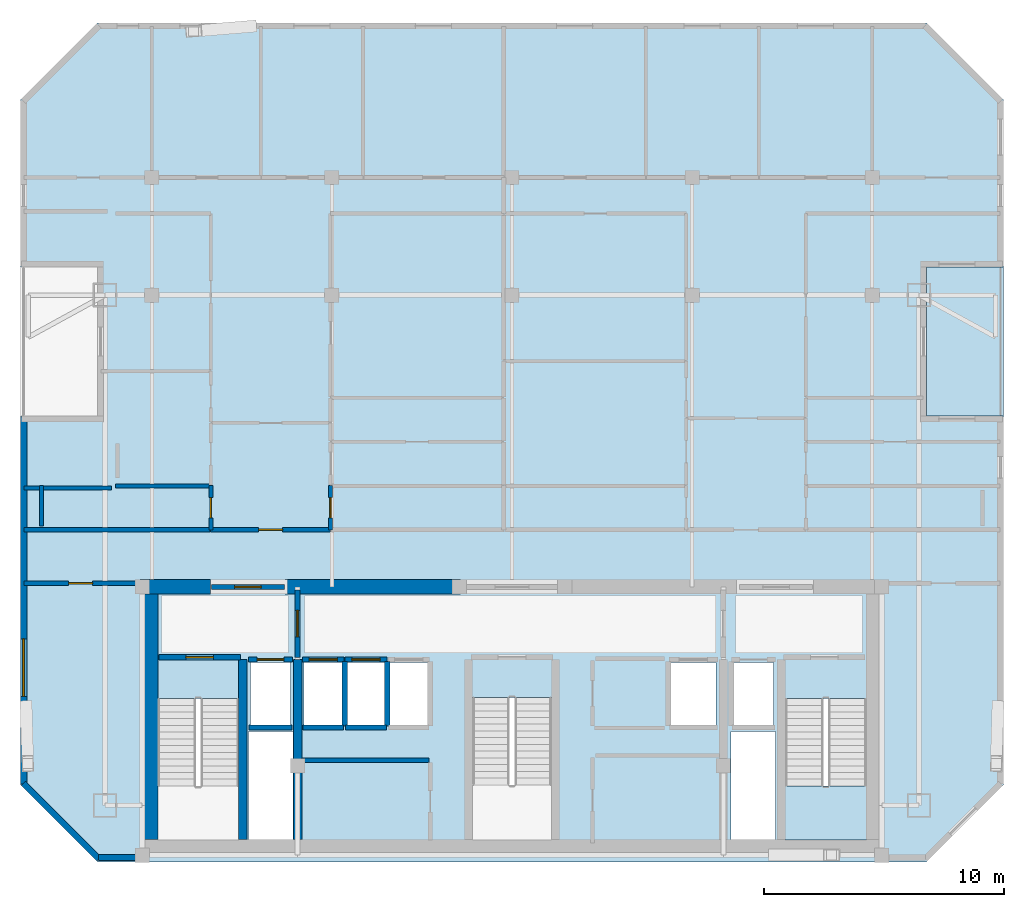
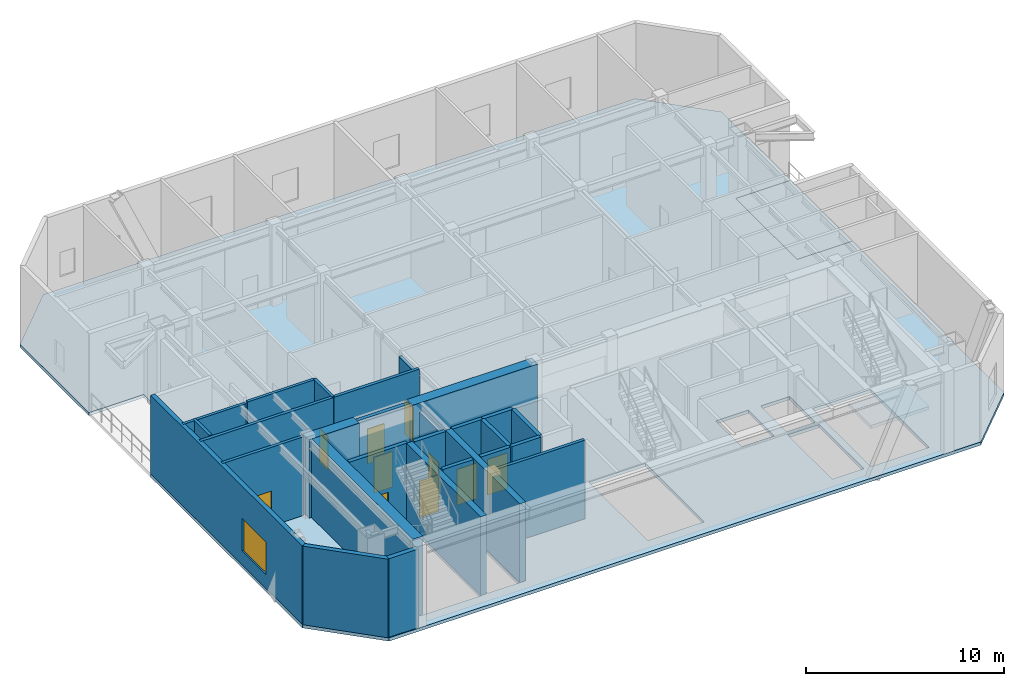
# One storey, part 2 of 7: 28 walls, 10 doors, 3 slabs, 1 window, 11 openings, 1 element without a shape of its own.
"""IFC4 building model written with IfcOpenShell, lengths in metres."""

from ifc_helpers import new_model, si_unit, direction, frame, frame_2d, origin, place, context, subcontext, project, spatial, polyline, rectangle, outline, extrude, material, layer, layer_set, type_object, element, fill, aggregate, save


model = new_model("IFC4")

# Units and contexts
model_context = context("Model", 3, precision=1e-05, world=origin(), true_north=direction((0.0, 1.0)))
body_context = subcontext(model_context, "Body", "Model", "MODEL_VIEW")
ifc_project = project(units=[si_unit("LENGTHUNIT", "METRE"), si_unit("AREAUNIT", "SQUARE_METRE"), si_unit("VOLUMEUNIT", "CUBIC_METRE"), si_unit("PLANEANGLEUNIT", "RADIAN"), si_unit("MASSUNIT", "GRAM", prefix="KILO")], contexts=[model_context])

# Site, building, storey
site_placement = place(None, origin())
site = spatial("IfcSite", under=ifc_project, at=site_placement, CompositionType="ELEMENT")
building_placement = place(site_placement, origin())
building = spatial("IfcBuilding", under=site, at=building_placement, Name="Ventersveld Concourse Tower", CompositionType="ELEMENT")
storey_placement = place(building_placement, frame((0.0, 0.0, 276.0)))
storey = spatial("IfcBuildingStorey", under=building, at=storey_placement, Name="L68", CompositionType="ELEMENT", Elevation=276.0)

# Slabs
ifc_material_1 = material(Name="Concrete C50/60", Category="concrete")
ifc_layer_1 = layer(ifc_material_1, 0.199951171875)
ifc_layer_set_1 = layer_set([ifc_layer_1], Name="Concrete C50/60")
slab_type_1 = type_object("IfcSlabType", Name="SL-FLR-200", PredefinedType="FLOOR", material=ifc_layer_set_1)
slab_1_placement = place(storey_placement, frame((0.0, 0.0, -0.199951171875)))
element("IfcSlab", 1, at=slab_1_placement, inside=storey, type_object=slab_type_1, Name="L68 Composite Floor Slab", PredefinedType="FLOOR", context=body_context, shape_type="SweptSolid", body=[
    extrude(outline(polyline([(11.48193359375, 0.0), (46.01806640625, 0.0), (49.218017578125, 3.199951171875), (49.218017578125, 18.569091796875), (46.01806640625, 18.569091796875), (46.01806640625, 24.76904296875), (49.218017578125, 24.76904296875), (49.218017578125, 31.738037109375), (46.01806640625, 34.93798828125), (11.48193359375, 34.93798828125), (8.281982421875, 31.738037109375), (8.281982421875, 24.76904296875), (11.48193359375, 24.76904296875), (11.48193359375, 18.569091796875), (8.281982421875, 18.569091796875), (8.281982421875, 3.199951171875), (11.48193359375, 0.0)]), holes=[polyline([(13.97998046875, 6.794921875), (13.97998046875, 0.89990234375), (17.3798828125, 0.89990234375), (17.3798828125, 6.794921875), (13.97998046875, 6.794921875)]), polyline([(40.1201171875, 6.794921875), (40.1201171875, 0.89990234375), (43.52001953125, 0.89990234375), (43.52001953125, 6.794921875), (40.1201171875, 6.794921875)]), polyline([(27.10009765625, 6.844970703125), (27.10009765625, 0.89990234375), (30.39990234375, 0.89990234375), (30.39990234375, 6.844970703125), (27.10009765625, 6.844970703125)]), polyline([(17.85009765625, 5.699951171875), (19.530029296875, 5.699951171875), (19.530029296875, 8.300048828125), (17.85009765625, 8.300048828125), (17.85009765625, 5.699951171875)]), polyline([(37.969970703125, 5.699951171875), (39.64990234375, 5.699951171875), (39.64990234375, 8.300048828125), (37.969970703125, 8.300048828125), (37.969970703125, 5.699951171875)]), polyline([(35.35009765625, 5.699951171875), (37.25, 5.699951171875), (37.25, 8.300048828125), (35.35009765625, 8.300048828125), (35.35009765625, 5.699951171875)]), polyline([(20.090087890625, 5.699951171875), (21.68994140625, 5.699951171875), (21.68994140625, 8.300048828125), (20.090087890625, 8.300048828125), (20.090087890625, 5.699951171875)]), polyline([(21.8701171875, 5.699951171875), (23.469970703125, 5.699951171875), (23.469970703125, 8.300048828125), (21.8701171875, 8.300048828125), (21.8701171875, 5.699951171875)]), polyline([(23.64990234375, 5.699951171875), (25.25, 5.699951171875), (25.25, 8.300048828125), (23.64990234375, 8.300048828125), (23.64990234375, 5.699951171875)]), polyline([(17.780029296875, 0.919921875), (19.6201171875, 0.919921875), (19.6201171875, 5.419921875), (17.780029296875, 5.419921875), (17.780029296875, 0.919921875)]), polyline([(37.8798828125, 0.919921875), (39.719970703125, 0.919921875), (39.719970703125, 5.419921875), (37.8798828125, 5.419921875), (37.8798828125, 0.919921875)])]), origin(), (0.0, 0.0, 1.0), 0.199951171875),
])
slab_2_placement = place(storey_placement, frame((0.0, 0.0, -0.199951171875)))
element("IfcSlab", 2, at=slab_2_placement, inside=storey, type_object=slab_type_1, Name="L68 Outdoor Terrace Slab NOTCH-E", PredefinedType="FLOOR", context=body_context, shape_type="SweptSolid", body=[
    extrude(outline(polyline([(46.01806640625, 18.569091796875), (49.218017578125, 18.569091796875), (49.218017578125, 24.76904296875), (46.01806640625, 24.76904296875), (46.01806640625, 18.569091796875)])), origin(), (0.0, 0.0, 1.0), 0.199951171875),
])

# Stair, slab
stair_type = type_object("IfcStairType", Name="ST-DOG-160", PredefinedType="HALF_TURN_STAIR", material=ifc_material_1)
stair_placement = place(storey_placement, origin())
stair = element("IfcStair", 3, at=stair_placement, inside=storey, type_object=stair_type, Name="L68 Protected Tower Escape Stair ST-02", PredefinedType="HALF_TURN_STAIR")
ifc_layer_2 = layer(ifc_material_1, 0.199951171875)
ifc_layer_set_2 = layer_set([ifc_layer_2], Name="Concrete C50/60")
slab_type_2 = type_object("IfcSlabType", Name="SL-LND-200", PredefinedType="LANDING", material=ifc_layer_set_2)
slab_3_placement = place(storey_placement, frame((0.0, 0.0, 2.324951171875)))
slab_3 = element("IfcSlab", 4, at=slab_3_placement, type_object=slab_type_2, Name="ST-02 landing 1", PredefinedType="LANDING", context=body_context, shape_type="SweptSolid", body=[
    extrude(outline(polyline([(40.1201171875, 3.159912109375), (40.1201171875, 0.89990234375), (43.52001953125, 0.89990234375), (43.52001953125, 3.159912109375), (40.1201171875, 3.159912109375)])), origin(), (0.0, 0.0, 1.0), 0.199951171875),
])
aggregate(stair, [slab_3])

# Walls
ifc_layer_3 = layer(ifc_material_1, 0.35009765625)
ifc_layer_set_3 = layer_set([ifc_layer_3], Name="Concrete C50/60")
wall_type_1 = type_object("IfcWallType", Name="WL-CORE-350U", PredefinedType="SHEAR", material=ifc_layer_set_3)
for number, where, z_axis, x_axis, name in (
    (5, (17.5400390625, 0.919921875, 0.0), (0.0, 0.0, 1.0), (0.0, 1.0, 0.0), "L68 Core Internal Shear Web W-ST1-E"),
    (6, (19.820068359375, 0.919921875, 0.0), (0.0, 0.0, 1.0), (0.0, 1.0, 0.0), "L68 Core Internal Shear Web W-FF1-E"),
):
    element("IfcWall", number, at=place(storey_placement, frame(where, z_axis=z_axis, x_axis=x_axis)), inside=storey, type_object=wall_type_1, Name=name, PredefinedType="SHEAR", context=body_context, shape_type="SweptSolid", body=[
        extrude(rectangle(XDim=7.5, YDim=0.35009765625, at=frame_2d((3.75, 0.0))), origin(), (0.0, 0.0, 1.0), 4.85009765625),
    ])
ifc_layer_4 = layer(ifc_material_1, 0.60009765625)
ifc_layer_set_4 = layer_set([ifc_layer_4], Name="Concrete C50/60")
wall_type_2 = type_object("IfcWallType", Name="WL-CORE-600", PredefinedType="SHEAR", material=ifc_layer_set_4)
wall_1_placement = place(storey_placement, frame((13.699951171875, 0.919921875, 0.0), z_axis=(0.0, 0.0, 1.0), x_axis=(0.0, 1.0, 0.0)))
element("IfcWall", 7, at=wall_1_placement, inside=storey, type_object=wall_type_2, Name="L68 Rear Core West Shear Wall", PredefinedType="SHEAR", context=body_context, shape_type="SweptSolid", body=[
    extrude(rectangle(XDim=10.530029296875, YDim=0.60009765625, at=frame_2d((5.26513671875, 0.0))), origin(), (0.0, 0.0, 1.0), 4.85009765625),
])
wall_2_placement = place(storey_placement, frame((13.25, 11.449951171875, 0.0), z_axis=(0.0, 0.0, 1.0), x_axis=(1.0, 0.0, 0.0)))
element("IfcWall", 8, at=wall_2_placement, inside=storey, type_object=wall_type_2, Name="L68 Rear Core North Shear Wall NW", PredefinedType="SHEAR", context=body_context, shape_type="SweptSolid", body=[
    extrude(rectangle(XDim=2.949951171875, YDim=0.60009765625, at=frame_2d((1.47509765625, 0.0))), origin(), (0.0, 0.0, 1.0), 4.85009765625),
])
wall_3_placement = place(storey_placement, frame((19.300048828125, 11.449951171875, 0.0), z_axis=(0.0, 0.0, 1.0), x_axis=(1.0, 0.0, 0.0)))
element("IfcWall", 9, at=wall_3_placement, inside=storey, type_object=wall_type_2, Name="L68 Rear Core North Shear Wall NML", PredefinedType="SHEAR", context=body_context, shape_type="SweptSolid", body=[
    extrude(rectangle(XDim=7.300048828125, YDim=0.60009765625, at=frame_2d((3.64990234375, 0.0))), origin(), (0.0, 0.0, 1.0), 4.85009765625),
])
ifc_material_2 = material(Name="Fire-rated autoclaved aerated masonry blockwork", Category="masonry")
ifc_layer_5 = layer(ifc_material_2, 0.179931640625)
ifc_layer_set_5 = layer_set([ifc_layer_5], Name="Fire-rated autoclaved aerated masonry blockwork")
wall_type_3 = type_object("IfcWallType", Name="WL-CORR-180", PredefinedType="PARTITIONING", material=ifc_layer_set_5)
wall_4_placement = place(storey_placement, frame((19.97998046875, 4.22998046875, 0.0), z_axis=(0.0, 0.0, 1.0), x_axis=(1.0, 0.0, 0.0)))
element("IfcWall", 10, at=wall_4_placement, inside=storey, type_object=wall_type_3, Name="L68 Core Top Wall SP-L68-RECB1A", PredefinedType="PARTITIONING", context=body_context, shape_type="SweptSolid", body=[
    extrude(rectangle(XDim=5.320068359375, YDim=0.179931640625, at=frame_2d((2.66015625, 0.0))), origin(), (0.0, 0.0, 1.0), 4.85009765625),
])

# Wall, opening, door
wall_5_placement = place(storey_placement, frame((8.431396484375, 11.60009765625, 0.0), z_axis=(0.0, 0.0, 1.0), x_axis=(1.0, 0.0, 0.0)))
wall_5 = element("IfcWall", 11, at=wall_5_placement, inside=storey, type_object=wall_type_3, Name="L68 Interior Partition SP-L68-SW-GAL-SP-L68-COR", PredefinedType="PARTITIONING", context=body_context, shape_type="SweptSolid", body=[
    extrude(rectangle(XDim=4.713623046875, YDim=0.179931640625, at=frame_2d((2.35693359375, 0.0))), origin(), (0.0, 0.0, 1.0), 4.85009765625),
])
opening_1_placement = place(wall_5_placement, frame((1.856689453125, 0.0, 0.0)))
opening_1 = element("IfcOpeningElement", 12, at=opening_1_placement, cuts=wall_5, Name="Opening FD3", PredefinedType="OPENING", context=body_context, shape_type="SweptSolid", body=[
    extrude(rectangle(XDim=1.0, YDim=2.14990234375, at=frame_2d((0.5, 1.074951171875))), frame((0.0, 0.10009765625, 0.0), z_axis=(0.0, -1.0, 0.0), x_axis=(1.0, 0.0, 0.0)), (0.0, 0.0, 1.0), 0.199951171875),
])
ifc_material_3 = material(Name="Solid-core hardwood veneer timber", Category="wood")
door_type_1 = type_object("IfcDoorType", Name="DR-FLAT-100", OperationType="NOTDEFINED", PredefinedType="DOOR", material=ifc_material_3)
door_1_placement = place(opening_1_placement, origin())
door_1 = element("IfcDoor", 13, at=door_1_placement, inside=storey, type_object=door_type_1, Name="L68 Interior Door SP-L68-SW-GAL to SP-L68-COR (D-L68-3182)", OperationType="SINGLE_SWING_RIGHT", OverallHeight=2.14990234375, OverallWidth=1.0, PredefinedType="DOOR", context=body_context, shape_type="SweptSolid", body=[
    extrude(rectangle(XDim=1.0, YDim=2.14990234375, at=frame_2d((0.5, 1.074951171875))), frame((0.0, 0.02490234375, 0.0), z_axis=(0.0, -1.0, 0.0), x_axis=(1.0, 0.0, 0.0)), (0.0, 0.0, 1.0), 0.050048828125),
])
fill(opening_1, door_1)

wall_6_placement = place(storey_placement, frame((16.202392578125, 13.830078125, 0.0), z_axis=(0.0, 0.0, 1.0), x_axis=(1.0, 0.0, 0.0)))
wall_6 = element("IfcWall", 14, at=wall_6_placement, inside=storey, type_object=wall_type_3, Name="L68 Interior Partition SP-L68-COR-SP-L68-68N1-FOY", PredefinedType="PARTITIONING", context=body_context, shape_type="SweptSolid", body=[
    extrude(rectangle(XDim=4.989990234375, YDim=0.179931640625, at=frame_2d((2.4951171875, 0.0))), origin(), (0.0, 0.0, 1.0), 4.85009765625),
])
opening_2_placement = place(wall_6_placement, frame((1.9951171875, 0.0, 0.0)))
opening_2 = element("IfcOpeningElement", 15, at=opening_2_placement, cuts=wall_6, Name="Opening FD3", PredefinedType="OPENING", context=body_context, shape_type="SweptSolid", body=[
    extrude(rectangle(XDim=1.0, YDim=2.14990234375, at=frame_2d((0.5, 1.074951171875))), frame((0.0, 0.10009765625, 0.0), z_axis=(0.0, -1.0, 0.0), x_axis=(1.0, 0.0, 0.0)), (0.0, 0.0, 1.0), 0.199951171875),
])
door_2_placement = place(opening_2_placement, origin())
door_2 = element("IfcDoor", 16, at=door_2_placement, inside=storey, type_object=door_type_1, Name="L68 Interior Door SP-L68-COR to SP-L68-68N1-FOY (FD-L68-3184)", OperationType="SINGLE_SWING_RIGHT", OverallHeight=2.14990234375, OverallWidth=1.0, PredefinedType="DOOR", context=body_context, shape_type="SweptSolid", body=[
    extrude(rectangle(XDim=1.0, YDim=2.14990234375, at=frame_2d((0.5, 1.074951171875))), frame((0.0, 0.02490234375, 0.0), z_axis=(0.0, -1.0, 0.0), x_axis=(1.0, 0.0, 0.0)), (0.0, 0.0, 1.0), 0.050048828125),
])
fill(opening_2, door_2)

# Walls
wall_7_placement = place(storey_placement, frame((8.431396484375, 13.830078125, 0.0), z_axis=(0.0, 0.0, 1.0), x_axis=(1.0, 0.0, 0.0)))
element("IfcWall", 17, at=wall_7_placement, inside=storey, type_object=wall_type_3, Name="L68 Interior Partition SP-L68-COR-SP-L68-68N1-BATH", PredefinedType="PARTITIONING", context=body_context, shape_type="SweptSolid", body=[
    extrude(rectangle(XDim=7.7412109375, YDim=0.179931640625, at=frame_2d((3.87060546875, 0.0))), origin(), (0.0, 0.0, 1.0), 4.85009765625),
])
ifc_layer_6 = layer(ifc_material_2, 0.219970703125)
ifc_layer_set_6 = layer_set([ifc_layer_6], Name="Fire-rated autoclaved aerated masonry blockwork")
wall_type_4 = type_object("IfcWallType", Name="WL-HOIST-220", PredefinedType="SOLIDWALL", material=ifc_layer_set_6)
wall_8_placement = place(storey_placement, frame((17.800048828125, 5.590087890625, 0.0), z_axis=(0.0, 0.0, 1.0), x_axis=(1.0, 0.0, 0.0)))
element("IfcWall", 18, at=wall_8_placement, inside=storey, type_object=wall_type_4, Name="L68 Lift Hoistway Back Wall FFL-01", PredefinedType="SOLIDWALL", context=body_context, shape_type="SweptSolid", body=[
    extrude(rectangle(XDim=1.780029296875, YDim=0.219970703125, at=frame_2d((0.89013671875, 0.0))), origin(), (0.0, 0.0, 1.0), 4.85009765625),
])

# Wall, opening, door
wall_9_placement = place(storey_placement, frame((17.780029296875, 8.429931640625, 0.0), z_axis=(0.0, 0.0, 1.0), x_axis=(1.0, 0.0, 0.0)))
wall_9 = element("IfcWall", 19, at=wall_9_placement, inside=storey, type_object=wall_type_4, Name="L68 Lift Hoistway Front Wall FFL-01", PredefinedType="SOLIDWALL", context=body_context, shape_type="SweptSolid", body=[
    extrude(rectangle(XDim=1.820068359375, YDim=0.219970703125, at=frame_2d((0.91015625, 0.0))), origin(), (0.0, 0.0, 1.0), 4.85009765625),
])
opening_3_placement = place(wall_9_placement, frame((0.35009765625, 0.0, 0.0)))
opening_3 = element("IfcOpeningElement", 20, at=opening_3_placement, cuts=wall_9, Name="Opening LD1", PredefinedType="OPENING", context=body_context, shape_type="SweptSolid", body=[
    extrude(rectangle(XDim=1.1201171875, YDim=2.25, at=frame_2d((0.56005859375, 1.125))), frame((0.0, 0.1201171875, 0.0), z_axis=(0.0, -1.0, 0.0), x_axis=(1.0, 0.0, 0.0)), (0.0, 0.0, 1.0), 0.239990234375),
])
ifc_material_4 = material(Name="Brushed stainless steel 316", Category="steel")
door_type_2 = type_object("IfcDoorType", Name="LD-FF-112", OperationType="SLIDING_TO_LEFT", PredefinedType="DOOR", material=ifc_material_4)
door_3_placement = place(opening_3_placement, origin())
door_3 = element("IfcDoor", 21, at=door_3_placement, inside=storey, type_object=door_type_2, Name="L68 Lift landing door FFL-01 (LD-L68-FFL-01)", OperationType="SLIDING_TO_RIGHT", OverallHeight=2.25, OverallWidth=1.1201171875, PredefinedType="DOOR", context=body_context, shape_type="SweptSolid", body=[
    extrude(rectangle(XDim=1.1201171875, YDim=2.25, at=frame_2d((0.56005859375, 1.125))), frame((0.0, 0.02490234375, 0.0), z_axis=(0.0, -1.0, 0.0), x_axis=(1.0, 0.0, 0.0)), (0.0, 0.0, 1.0), 0.050048828125),
])
fill(opening_3, door_3)

# Walls
wall_10_placement = place(storey_placement, frame((20.0400390625, 5.590087890625, 0.0), z_axis=(0.0, 0.0, 1.0), x_axis=(1.0, 0.0, 0.0)))
element("IfcWall", 22, at=wall_10_placement, inside=storey, type_object=wall_type_4, Name="L68 Lift Hoistway Back Wall PH-01", PredefinedType="SOLIDWALL", context=body_context, shape_type="SweptSolid", body=[
    extrude(rectangle(XDim=1.699951171875, YDim=0.219970703125, at=frame_2d((0.85009765625, 0.0))), origin(), (0.0, 0.0, 1.0), 4.85009765625),
])
wall_11_placement = place(storey_placement, frame((21.780029296875, 5.64990234375, 0.0), z_axis=(0.0, 0.0, 1.0), x_axis=(0.0, 1.0, 0.0)))
element("IfcWall", 23, at=wall_11_placement, inside=storey, type_object=wall_type_4, Name="L68 Lift Hoistway Side Wall PH-01E", PredefinedType="SOLIDWALL", context=body_context, shape_type="SweptSolid", body=[
    extrude(rectangle(XDim=2.7001953125, YDim=0.219970703125, at=frame_2d((1.35009765625, 0.0))), origin(), (0.0, 0.0, 1.0), 4.85009765625),
])

# Wall, opening, door
wall_12_placement = place(storey_placement, frame((20.02001953125, 8.429931640625, 0.0), z_axis=(0.0, 0.0, 1.0), x_axis=(1.0, 0.0, 0.0)))
wall_12 = element("IfcWall", 24, at=wall_12_placement, inside=storey, type_object=wall_type_4, Name="L68 Lift Hoistway Front Wall PH-01", PredefinedType="SOLIDWALL", context=body_context, shape_type="SweptSolid", body=[
    extrude(rectangle(XDim=1.739990234375, YDim=0.219970703125, at=frame_2d((0.8701171875, 0.0))), origin(), (0.0, 0.0, 1.0), 4.85009765625),
])
opening_4_placement = place(wall_12_placement, frame((0.280029296875, 0.0, 0.0)))
opening_4 = element("IfcOpeningElement", 25, at=opening_4_placement, cuts=wall_12, Name="Opening LD2", PredefinedType="OPENING", context=body_context, shape_type="SweptSolid", body=[
    extrude(rectangle(XDim=1.179931640625, YDim=2.199951171875, at=frame_2d((0.58984375, 1.10009765625))), frame((0.0, 0.1201171875, 0.0), z_axis=(0.0, -1.0, 0.0), x_axis=(1.0, 0.0, 0.0)), (0.0, 0.0, 1.0), 0.239990234375),
])
door_type_3 = type_object("IfcDoorType", Name="LD-PAX-118", OperationType="SLIDING_TO_LEFT", PredefinedType="DOOR", material=ifc_material_4)
door_4_placement = place(opening_4_placement, origin())
door_4 = element("IfcDoor", 26, at=door_4_placement, inside=storey, type_object=door_type_3, Name="L68 Lift landing door PH-01 (LD-L68-PH-01)", OperationType="SLIDING_TO_LEFT", OverallHeight=2.199951171875, OverallWidth=1.179931640625, PredefinedType="DOOR", context=body_context, shape_type="SweptSolid", body=[
    extrude(rectangle(XDim=1.179931640625, YDim=2.199951171875, at=frame_2d((0.58984375, 1.10009765625))), frame((0.0, 0.02490234375, 0.0), z_axis=(0.0, -1.0, 0.0), x_axis=(1.0, 0.0, 0.0)), (0.0, 0.0, 1.0), 0.050048828125),
])
fill(opening_4, door_4)

# Walls
wall_13_placement = place(storey_placement, frame((21.820068359375, 5.590087890625, 0.0), z_axis=(0.0, 0.0, 1.0), x_axis=(1.0, 0.0, 0.0)))
element("IfcWall", 27, at=wall_13_placement, inside=storey, type_object=wall_type_4, Name="L68 Lift Hoistway Back Wall PH-02", PredefinedType="SOLIDWALL", context=body_context, shape_type="SweptSolid", body=[
    extrude(rectangle(XDim=1.699951171875, YDim=0.219970703125, at=frame_2d((0.85009765625, 0.0))), origin(), (0.0, 0.0, 1.0), 4.85009765625),
])
wall_14_placement = place(storey_placement, frame((23.56005859375, 5.64990234375, 0.0), z_axis=(0.0, 0.0, 1.0), x_axis=(0.0, 1.0, 0.0)))
element("IfcWall", 28, at=wall_14_placement, inside=storey, type_object=wall_type_4, Name="L68 Lift Hoistway Side Wall PH-02E", PredefinedType="SOLIDWALL", context=body_context, shape_type="SweptSolid", body=[
    extrude(rectangle(XDim=2.7001953125, YDim=0.219970703125, at=frame_2d((1.35009765625, 0.0))), origin(), (0.0, 0.0, 1.0), 4.85009765625),
])

# Wall, opening, door
wall_15_placement = place(storey_placement, frame((21.800048828125, 8.429931640625, 0.0), z_axis=(0.0, 0.0, 1.0), x_axis=(1.0, 0.0, 0.0)))
wall_15 = element("IfcWall", 29, at=wall_15_placement, inside=storey, type_object=wall_type_4, Name="L68 Lift Hoistway Front Wall PH-02", PredefinedType="SOLIDWALL", context=body_context, shape_type="SweptSolid", body=[
    extrude(rectangle(XDim=1.739990234375, YDim=0.219970703125, at=frame_2d((0.8701171875, 0.0))), origin(), (0.0, 0.0, 1.0), 4.85009765625),
])
opening_5_placement = place(wall_15_placement, frame((0.280029296875, 0.0, 0.0)))
opening_5 = element("IfcOpeningElement", 30, at=opening_5_placement, cuts=wall_15, Name="Opening LD2", PredefinedType="OPENING", context=body_context, shape_type="SweptSolid", body=[
    extrude(rectangle(XDim=1.179931640625, YDim=2.199951171875, at=frame_2d((0.58984375, 1.10009765625))), frame((0.0, 0.1201171875, 0.0), z_axis=(0.0, -1.0, 0.0), x_axis=(1.0, 0.0, 0.0)), (0.0, 0.0, 1.0), 0.239990234375),
])
door_5_placement = place(opening_5_placement, origin())
door_5 = element("IfcDoor", 31, at=door_5_placement, inside=storey, type_object=door_type_3, Name="L68 Lift landing door PH-02 (LD-L68-PH-02)", OperationType="SLIDING_TO_RIGHT", OverallHeight=2.199951171875, OverallWidth=1.179931640625, PredefinedType="DOOR", context=body_context, shape_type="SweptSolid", body=[
    extrude(rectangle(XDim=1.179931640625, YDim=2.199951171875, at=frame_2d((0.58984375, 1.10009765625))), frame((0.0, 0.02490234375, 0.0), z_axis=(0.0, -1.0, 0.0), x_axis=(1.0, 0.0, 0.0)), (0.0, 0.0, 1.0), 0.050048828125),
])
fill(opening_5, door_5)

wall_16_placement = place(storey_placement, frame((14.0400390625, 8.52001953125, 0.0), z_axis=(0.0, 0.0, 1.0), x_axis=(1.0, 0.0, 0.0)))
wall_16 = element("IfcWall", 32, at=wall_16_placement, inside=storey, type_object=wall_type_4, Name="L68 Escape Stair ST01 Fire Wall", PredefinedType="SOLIDWALL", context=body_context, shape_type="SweptSolid", body=[
    extrude(rectangle(XDim=3.39990234375, YDim=0.219970703125, at=frame_2d((1.699951171875, 0.0))), origin(), (0.0, 0.0, 1.0), 4.85009765625),
])
opening_6_placement = place(wall_16_placement, frame((1.125, 0.0, 0.0)))
opening_6 = element("IfcOpeningElement", 33, at=opening_6_placement, cuts=wall_16, Name="Opening FD1", PredefinedType="OPENING", context=body_context, shape_type="SweptSolid", body=[
    extrude(rectangle(XDim=1.14990234375, YDim=2.199951171875, at=frame_2d((0.574951171875, 1.10009765625))), frame((0.0, 0.1201171875, 0.0), z_axis=(0.0, -1.0, 0.0), x_axis=(1.0, 0.0, 0.0)), (0.0, 0.0, 1.0), 0.239990234375),
])
ifc_material_5 = material(Name="Galvanised painted steel", Category="steel")
door_type_4 = type_object("IfcDoorType", Name="DR-STAIR-115", OperationType="NOTDEFINED", PredefinedType="DOOR", material=ifc_material_5)
door_6_placement = place(opening_6_placement, origin())
door_6 = element("IfcDoor", 34, at=door_6_placement, inside=storey, type_object=door_type_4, Name="L68 Escape Stair Door ST01 (SD-L68-3171)", OperationType="SINGLE_SWING_LEFT", OverallHeight=2.199951171875, OverallWidth=1.14990234375, PredefinedType="DOOR", context=body_context, shape_type="SweptSolid", body=[
    extrude(rectangle(XDim=1.14990234375, YDim=2.199951171875, at=frame_2d((0.574951171875, 1.10009765625))), frame((0.0, 0.02490234375, 0.0), z_axis=(0.0, -1.0, 0.0), x_axis=(1.0, 0.0, 0.0)), (0.0, 0.0, 1.0), 0.050048828125),
])
fill(opening_6, door_6)

wall_17_placement = place(storey_placement, frame((19.820068359375, 8.52001953125, 0.0), z_axis=(0.0, 0.0, 1.0), x_axis=(0.0, 1.0, 0.0)))
wall_17 = element("IfcWall", 35, at=wall_17_placement, inside=storey, type_object=wall_type_4, Name="L68 Firefighting Lobby Smoke-Stop Wall FFLW-SEP", PredefinedType="SOLIDWALL", context=body_context, shape_type="SweptSolid", body=[
    extrude(rectangle(XDim=2.800048828125, YDim=0.219970703125, at=frame_2d((1.39990234375, 0.0))), origin(), (0.0, 0.0, 1.0), 4.305419921875),
])
opening_7_placement = place(wall_17_placement, frame((0.85009765625, 0.0, 0.0)))
opening_7 = element("IfcOpeningElement", 36, at=opening_7_placement, cuts=wall_17, Name="Opening FD2", PredefinedType="OPENING", context=body_context, shape_type="SweptSolid", body=[
    extrude(rectangle(XDim=1.10009765625, YDim=2.199951171875, at=frame_2d((0.550048828125, 1.10009765625))), frame((0.0, 0.1201171875, 0.0), z_axis=(0.0, -1.0, 0.0), x_axis=(1.0, 0.0, 0.0)), (0.0, 0.0, 1.0), 0.239990234375),
])
door_type_5 = type_object("IfcDoorType", Name="DR-FFL-110", OperationType="NOTDEFINED", PredefinedType="DOOR", material=ifc_material_5)
door_7_placement = place(opening_7_placement, origin())
door_7 = element("IfcDoor", 37, at=door_7_placement, inside=storey, type_object=door_type_5, Name="L68 Firefighting Lobby Door FFLW-SEP (FD-L68-3174)", OperationType="SINGLE_SWING_LEFT", OverallHeight=2.199951171875, OverallWidth=1.10009765625, PredefinedType="DOOR", context=body_context, shape_type="SweptSolid", body=[
    extrude(rectangle(XDim=1.10009765625, YDim=2.199951171875, at=frame_2d((0.550048828125, 1.10009765625))), frame((0.0, 0.02490234375, 0.0), z_axis=(0.0, -1.0, 0.0), x_axis=(1.0, 0.0, 0.0)), (0.0, 0.0, 1.0), 0.050048828125),
])
fill(opening_7, door_7)

wall_18_placement = place(storey_placement, frame((16.22998046875, 11.449951171875, 0.0), z_axis=(0.0, 0.0, 1.0), x_axis=(1.0, 0.0, 0.0)))
wall_18 = element("IfcWall", 38, at=wall_18_placement, inside=storey, type_object=wall_type_4, Name="L68 Core North Fire Portal FFLW-OUT", PredefinedType="SOLIDWALL", context=body_context, shape_type="SweptSolid", body=[
    extrude(rectangle(XDim=3.0400390625, YDim=0.219970703125, at=frame_2d((1.52001953125, 0.0))), origin(), (0.0, 0.0, 1.0), 4.85009765625),
])
opening_8_placement = place(wall_18_placement, frame((0.969970703125, 0.0, 0.0)))
opening_8 = element("IfcOpeningElement", 39, at=opening_8_placement, cuts=wall_18, Name="Opening FD2", PredefinedType="OPENING", context=body_context, shape_type="SweptSolid", body=[
    extrude(rectangle(XDim=1.10009765625, YDim=2.199951171875, at=frame_2d((0.550048828125, 1.10009765625))), frame((0.0, 0.1201171875, 0.0), z_axis=(0.0, -1.0, 0.0), x_axis=(1.0, 0.0, 0.0)), (0.0, 0.0, 1.0), 0.239990234375),
])
door_8_placement = place(opening_8_placement, origin())
door_8 = element("IfcDoor", 40, at=door_8_placement, inside=storey, type_object=door_type_5, Name="L68 Core Lobby Fire Door FFLW-OUT (FD-L68-3176)", OperationType="SINGLE_SWING_RIGHT", OverallHeight=2.199951171875, OverallWidth=1.10009765625, PredefinedType="DOOR", context=body_context, shape_type="SweptSolid", body=[
    extrude(rectangle(XDim=1.10009765625, YDim=2.199951171875, at=frame_2d((0.550048828125, 1.10009765625))), frame((0.0, 0.02490234375, 0.0), z_axis=(0.0, -1.0, 0.0), x_axis=(1.0, 0.0, 0.0)), (0.0, 0.0, 1.0), 0.050048828125),
])
fill(opening_8, door_8)

# Wall
ifc_material_6 = material(Name="Precast concrete C45/55", Category="concrete")
ifc_layer_7 = layer(ifc_material_6, 0.260009765625)
ifc_layer_set_7 = layer_set([ifc_layer_7], Name="Precast concrete C45/55")
wall_type_5 = type_object("IfcWallType", Name="WL-PREC-260", PredefinedType="SOLIDWALL", material=ifc_layer_set_7)
wall_19_placement = place(storey_placement, frame((11.52197265625, 0.179931640625, 0.0), z_axis=(0.0, 0.0, 1.0), x_axis=(1.0, 0.0, 0.0)))
element("IfcWall", 41, at=wall_19_placement, inside=storey, type_object=wall_type_5, Name="L68 South-West Flank Precast Wall", PredefinedType="SOLIDWALL", context=body_context, shape_type="SweptSolid", body=[
    extrude(rectangle(XDim=1.72802734375, YDim=0.260009765625, at=frame_2d((0.864013671875, 0.0))), origin(), (0.0, 0.0, 1.0), 4.85009765625),
])

# Wall, opening, window
wall_20_placement = place(storey_placement, frame((8.412109375, 18.529052734375, 0.0), z_axis=(0.0, 0.0, 1.0), x_axis=(0.0, -1.0, 0.0)))
wall_20 = element("IfcWall", 42, at=wall_20_placement, inside=storey, type_object=wall_type_5, Name="L68 Highveld Precast Facade Wall E15", PredefinedType="SOLIDWALL", context=body_context, shape_type="SweptSolid", body=[
    extrude(rectangle(XDim=15.2890625, YDim=0.260009765625, at=frame_2d((7.64453125, 0.0))), origin(), (0.0, 0.0, 1.0), 4.85009765625),
])
opening_9_placement = place(wall_20_placement, frame((9.23876953125, 0.0, 0.85009765625)))
opening_9 = element("IfcOpeningElement", 43, at=opening_9_placement, cuts=wall_20, Name="Opening W5", PredefinedType="OPENING", context=body_context, shape_type="SweptSolid", body=[
    extrude(rectangle(XDim=2.39990234375, YDim=2.0, at=frame_2d((1.199951171875, 1.0))), frame((0.0, 0.14013671875, 0.0), z_axis=(0.0, -1.0, 0.0), x_axis=(1.0, 0.0, 0.0)), (0.0, 0.0, 1.0), 0.280029296875),
])
ifc_material_7 = material(Name="Tempered acoustic Low-E IGU", Category="glass")
window_type = type_object("IfcWindowType", Name="WIN-240x210", PartitioningType="SINGLE_PANEL", PredefinedType="WINDOW", material=ifc_material_7)
window_placement = place(opening_9_placement, origin())
window = element("IfcWindow", 44, at=window_placement, inside=storey, type_object=window_type, Name="L68 Punched Low-E Window W-0966", OverallHeight=2.0, OverallWidth=2.39990234375, PartitioningType="SINGLE_PANEL", PredefinedType="WINDOW", context=body_context, shape_type="SweptSolid", body=[
    extrude(rectangle(XDim=2.39990234375, YDim=2.0, at=frame_2d((1.199951171875, 1.0))), frame((0.0, 0.030029296875, 0.0), z_axis=(0.0, -1.0, 0.0), x_axis=(1.0, 0.0, 0.0)), (0.0, 0.0, 1.0), 0.06005859375),
])
fill(opening_9, window)

# Wall
wall_21_placement = place(storey_placement, frame((8.402099609375, 3.263671875, 0.0), z_axis=(0.0, 0.0, 1.0), x_axis=(0.707106781187, -0.707106781187, 0.0)))
element("IfcWall", 45, at=wall_21_placement, inside=storey, type_object=wall_type_5, Name="L68 Highveld Precast Facade Wall E16", PredefinedType="SOLIDWALL", context=body_context, shape_type="SweptSolid", body=[
    extrude(rectangle(XDim=4.445556640625, YDim=0.260009765625, at=frame_2d((2.22265625, 0.0))), origin(), (0.0, 0.0, 1.0), 4.85009765625),
])

# Wall, opening, door
ifc_material_8 = material(Name="Autoclaved aerated masonry blockwork", Category="masonry")
ifc_layer_8 = layer(ifc_material_8, 0.1650390625)
ifc_layer_set_8 = layer_set([ifc_layer_8], Name="Autoclaved aerated masonry blockwork")
wall_type_6 = type_object("IfcWallType", Name="WL-WET-165", PredefinedType="PLUMBINGWALL", material=ifc_layer_set_8)
wall_22_placement = place(storey_placement, frame((16.20751953125, 13.824951171875, 0.0), z_axis=(0.0, 0.0, 1.0), x_axis=(0.0, 1.0, 0.0)))
wall_22 = element("IfcWall", 46, at=wall_22_placement, inside=storey, type_object=wall_type_6, Name="L68 Interior Partition SP-L68-68N1-FOY-SP-L68-68N1-BATH", PredefinedType="PLUMBINGWALL", context=body_context, shape_type="SweptSolid", body=[
    extrude(rectangle(XDim=1.840087890625, YDim=0.1650390625, at=frame_2d((0.919921875, 0.0))), origin(), (0.0, 0.0, 1.0), 4.85009765625),
])
opening_10_placement = place(wall_22_placement, frame((0.4951171875, 0.0, 0.0)))
opening_10 = element("IfcOpeningElement", 47, at=opening_10_placement, cuts=wall_22, Name="Opening ID2", PredefinedType="OPENING", context=body_context, shape_type="SweptSolid", body=[
    extrude(rectangle(XDim=0.85009765625, YDim=2.10009765625, at=frame_2d((0.425048828125, 1.050048828125))), frame((0.0, 0.092529296875, 0.0), z_axis=(0.0, -1.0, 0.0), x_axis=(1.0, 0.0, 0.0)), (0.0, 0.0, 1.0), 0.18505859375),
])
door_type_6 = type_object("IfcDoorType", Name="DR-BATH-085", OperationType="NOTDEFINED", PredefinedType="DOOR", material=ifc_material_3)
door_9_placement = place(opening_10_placement, origin())
door_9 = element("IfcDoor", 48, at=door_9_placement, inside=storey, type_object=door_type_6, Name="L68 Interior Door SP-L68-68N1-FOY to SP-L68-68N1-BATH (D-L68-3187)", OperationType="SINGLE_SWING_LEFT", OverallHeight=2.10009765625, OverallWidth=0.85009765625, PredefinedType="DOOR", context=body_context, shape_type="SweptSolid", body=[
    extrude(rectangle(XDim=0.85009765625, YDim=2.10009765625, at=frame_2d((0.425048828125, 1.050048828125))), frame((0.0, 0.02490234375, 0.0), z_axis=(0.0, -1.0, 0.0), x_axis=(1.0, 0.0, 0.0)), (0.0, 0.0, 1.0), 0.050048828125),
])
fill(opening_10, door_9)

wall_23_placement = place(storey_placement, frame((21.1875, 13.824951171875, 0.0), z_axis=(0.0, 0.0, 1.0), x_axis=(0.0, 1.0, 0.0)))
wall_23 = element("IfcWall", 49, at=wall_23_placement, inside=storey, type_object=wall_type_6, Name="L68 Interior Partition SP-L68-68N1-FOY-SP-L68-68N1-PWDR3", PredefinedType="PLUMBINGWALL", context=body_context, shape_type="SweptSolid", body=[
    extrude(rectangle(XDim=1.840087890625, YDim=0.1650390625, at=frame_2d((0.919921875, 0.0))), origin(), (0.0, 0.0, 1.0), 4.4951171875),
])
opening_11_placement = place(wall_23_placement, frame((0.4951171875, 0.0, 0.0)))
opening_11 = element("IfcOpeningElement", 50, at=opening_11_placement, cuts=wall_23, Name="Opening ID2", PredefinedType="OPENING", context=body_context, shape_type="SweptSolid", body=[
    extrude(rectangle(XDim=0.85009765625, YDim=2.10009765625, at=frame_2d((0.425048828125, 1.050048828125))), frame((0.0, 0.092529296875, 0.0), z_axis=(0.0, -1.0, 0.0), x_axis=(1.0, 0.0, 0.0)), (0.0, 0.0, 1.0), 0.18505859375),
])
door_10_placement = place(opening_11_placement, origin())
door_10 = element("IfcDoor", 51, at=door_10_placement, inside=storey, type_object=door_type_6, Name="L68 Interior Door SP-L68-68N1-FOY to SP-L68-68N1-PWDR3 (D-L68-3189)", OperationType="SINGLE_SWING_LEFT", OverallHeight=2.10009765625, OverallWidth=0.85009765625, PredefinedType="DOOR", context=body_context, shape_type="SweptSolid", body=[
    extrude(rectangle(XDim=0.85009765625, YDim=2.10009765625, at=frame_2d((0.425048828125, 1.050048828125))), frame((0.0, 0.02490234375, 0.0), z_axis=(0.0, -1.0, 0.0), x_axis=(1.0, 0.0, 0.0)), (0.0, 0.0, 1.0), 0.050048828125),
])
fill(opening_11, door_10)

# Walls
wall_24_placement = place(storey_placement, frame((12.22705078125, 15.659912109375, 0.0), z_axis=(0.0, 0.0, 1.0), x_axis=(1.0, 0.0, 0.0)))
element("IfcWall", 52, at=wall_24_placement, inside=storey, type_object=wall_type_6, Name="L68 Interior Partition SP-L68-68N1-BATH-SP-L68-68N1-OFFL0", PredefinedType="PLUMBINGWALL", context=body_context, shape_type="SweptSolid", body=[
    extrude(rectangle(XDim=3.9853515625, YDim=0.1650390625, at=frame_2d((1.99267578125, 0.0))), origin(), (0.0, 0.0, 1.0), 4.85009765625),
])
wall_25_placement = place(storey_placement, frame((8.431396484375, 15.570068359375, 0.0), z_axis=(0.0, 0.0, 1.0), x_axis=(1.0, 0.0, 0.0)))
element("IfcWall", 53, at=wall_25_placement, inside=storey, type_object=wall_type_6, Name="L68 Room Enclosure Wall SP-L68-68N1-BATH", PredefinedType="PLUMBINGWALL", context=body_context, shape_type="SweptSolid", body=[
    extrude(rectangle(XDim=3.64697265625, YDim=0.1650390625, at=frame_2d((1.823486328125, 0.0))), origin(), (0.0, 0.0, 1.0), 4.85009765625),
])
wall_26_placement = place(storey_placement, frame((9.162109375, 13.9951171875, 0.0), z_axis=(0.0, 0.0, 1.0), x_axis=(0.0, 1.0, 0.0)))
element("IfcWall", 54, at=wall_26_placement, inside=storey, type_object=wall_type_6, Name="L68 Room Enclosure Wall SP-L68-68N1-BATH", PredefinedType="PLUMBINGWALL", context=body_context, shape_type="SweptSolid", body=[
    extrude(rectangle(XDim=1.669921875, YDim=0.1650390625, at=frame_2d((0.8349609375, 0.0))), origin(), (0.0, 0.0, 1.0), 4.85009765625),
])

save(model, "model.ifc")
